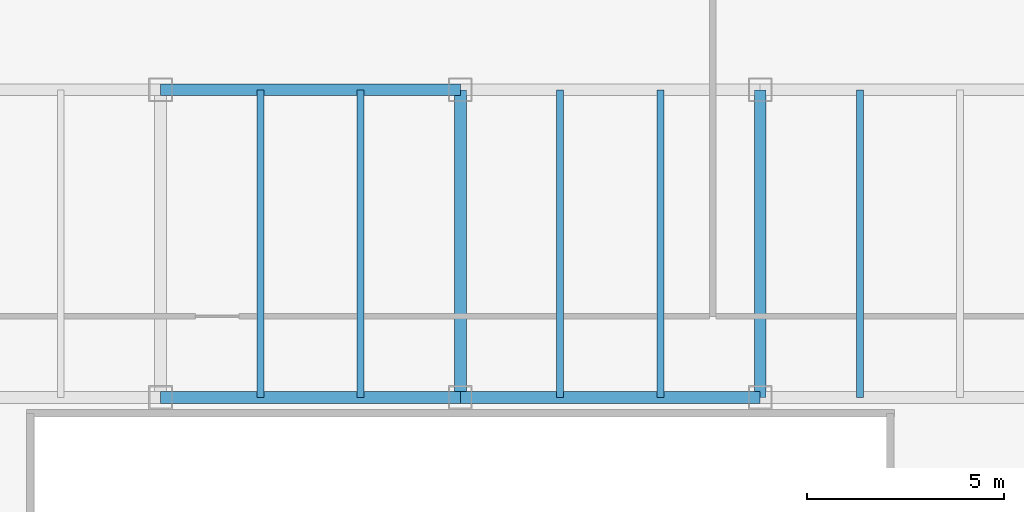
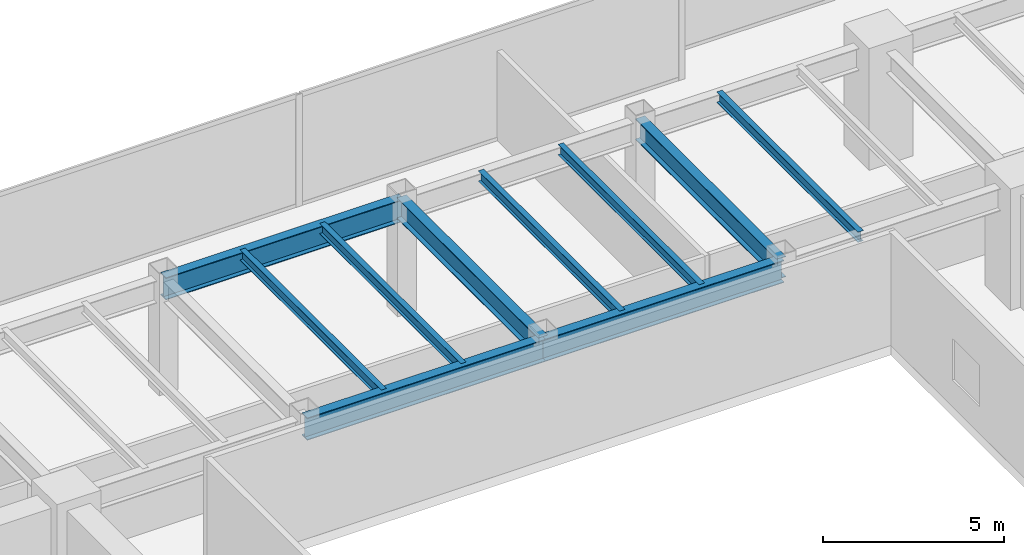
# One storey, part 17 of 35: 10 beams.
"""IFC4 building model written with IfcOpenShell, lengths in metres."""

from ifc_helpers import new_model, si_unit, direction, frame, origin, origin_2d, place, context, subcontext, project, spatial, i_section, extrude, source, transform, mapped, material, material_profile, profile_set, type_object, type_shapes, element, save


model = new_model("IFC4")

# Units and contexts
model_context = context("Model", 3, precision=1e-05, world=origin(), true_north=direction((0.0, 1.0)))
body_context = subcontext(model_context, "Body", "Model", "MODEL_VIEW")
ifc_project = project(units=[si_unit("LENGTHUNIT", "METRE"), si_unit("AREAUNIT", "SQUARE_METRE"), si_unit("VOLUMEUNIT", "CUBIC_METRE"), si_unit("PLANEANGLEUNIT", "RADIAN"), si_unit("MASSUNIT", "GRAM", prefix="KILO")], contexts=[model_context])

# Site, building, storey
site_placement = place(None, origin())
site = spatial("IfcSite", under=ifc_project, at=site_placement, CompositionType="ELEMENT")
building_placement = place(site_placement, origin())
building = spatial("IfcBuilding", under=site, at=building_placement, Name="Haelvirn Gate Laboratories", CompositionType="ELEMENT")
storey_placement = place(building_placement, frame((0.0, 0.0, 41.60009765625)))
storey = spatial("IfcBuildingStorey", under=building, at=storey_placement, Name="L10", CompositionType="ELEMENT", Elevation=41.60009765625)

# Beams
ifc_material = material(Name="Steel SM355", Category="steel")
ifc_material_profile_1 = material_profile(ifc_material, i_section(OverallWidth=0.300048828125, OverallDepth=0.699951171875, WebThickness=0.012939453125, FlangeThickness=0.02392578125, at=origin_2d()), Name="H-700x300x13x24")
ifc_profile_set_1 = profile_set([ifc_material_profile_1], Name="Steel SM355")
beam_type_1 = type_object("IfcBeamType", Name="BM-G-700", PredefinedType="BEAM", material=ifc_profile_set_1)
shared_shape_1 = source(origin(), body_context, "Body", "SweptSolid", [
    extrude(i_section(OverallWidth=0.300048828125, OverallDepth=0.699951171875, WebThickness=0.012939453125, FlangeThickness=0.02392578125, at=origin_2d()), origin(), (0.0, 0.0, 1.0), 7.800048828125),
])
type_shapes(beam_type_1, [shared_shape_1])
for number, where, z_axis, x_axis, name in (
    (1, (37.39990234375, 33.800048828125, 3.429931640625), (0.0, 1.0, 0.0), (-1.0, 0.0, 0.0), "L10 Frame Girder X37.4 (33.8-41.6)"),
    (2, (45.0, 33.800048828125, 3.429931640625), (0.0, 1.0, 0.0), (-1.0, 0.0, 0.0), "L10 Frame Girder X45.0 (33.8-41.6)"),
):
    element("IfcBeam", number, at=place(storey_placement, frame(where, z_axis=z_axis, x_axis=x_axis)), inside=storey, type_object=beam_type_1, Name=name, PredefinedType="BEAM", context=body_context, shape_type="MappedRepresentation", body=[
        mapped(shared_shape_1, transform((0.0, 0.0, 0.0), scale=1.0)),
    ])
ifc_material_profile_2 = material_profile(ifc_material, i_section(OverallWidth=0.300048828125, OverallDepth=0.75, WebThickness=0.013916015625, FlangeThickness=0.02392578125, at=origin_2d()), Name="H-750x300x14x24")
ifc_profile_set_2 = profile_set([ifc_material_profile_2], Name="Steel SM355")
beam_type_2 = type_object("IfcBeamType", Name="BM-G-750", PredefinedType="BEAM", material=ifc_profile_set_2)
shared_shape_2 = source(origin(), body_context, "Body", "SweptSolid", [
    extrude(i_section(OverallWidth=0.300048828125, OverallDepth=0.75, WebThickness=0.013916015625, FlangeThickness=0.02392578125, at=origin_2d()), origin(), (0.0, 0.0, 1.0), 7.60009765625),
])
beam_placement = place(storey_placement, frame((37.39990234375, 33.800048828125, 3.40478515625), z_axis=(1.0, 0.0, 0.0), x_axis=(0.0, 1.0, 0.0)))
element("IfcBeam", 3, at=beam_placement, inside=storey, type_object=beam_type_2, Name="L10 Primary Girder Y33.8 (37.4-45.0)", PredefinedType="BEAM", context=body_context, shape_type="MappedRepresentation", body=[
    mapped(shared_shape_2, transform((0.0, 0.0, 0.0), scale=1.0)),
])
shared_shape_3 = source(origin(), body_context, "Body", "SweptSolid", [
    extrude(i_section(OverallWidth=0.300048828125, OverallDepth=0.75, WebThickness=0.013916015625, FlangeThickness=0.02392578125, at=origin_2d()), origin(), (0.0, 0.0, 1.0), 7.599853515625),
])
type_shapes(beam_type_2, [shared_shape_2, shared_shape_3])
for number, where, z_axis, x_axis, name in (
    (4, (29.800048828125, 33.800048828125, 3.40478515625), (1.0, 0.0, 0.0), (0.0, 1.0, 0.0), "L10 Primary Girder Y33.8 (29.8-37.4)"),
    (5, (29.800048828125, 41.60009765625, 3.40478515625), (1.0, 0.0, 0.0), (0.0, 1.0, 0.0), "L10 Primary Girder Y41.6 (29.8-37.4)"),
):
    element("IfcBeam", number, at=place(storey_placement, frame(where, z_axis=z_axis, x_axis=x_axis)), inside=storey, type_object=beam_type_2, Name=name, PredefinedType="BEAM", context=body_context, shape_type="MappedRepresentation", body=[
        mapped(shared_shape_3, transform((0.0, 0.0, 0.0), scale=1.0)),
    ])
ifc_material_profile_3 = material_profile(ifc_material, i_section(OverallWidth=0.175048828125, OverallDepth=0.35009765625, WebThickness=0.007080078125, FlangeThickness=0.010986328125, at=origin_2d()), Name="H-350x175x7x11")
ifc_profile_set_3 = profile_set([ifc_material_profile_3], Name="Steel SM355")
beam_type_3 = type_object("IfcBeamType", Name="BM-J-350", PredefinedType="JOIST", material=ifc_profile_set_3)
shared_shape_4 = source(origin(), body_context, "Body", "SweptSolid", [
    extrude(i_section(OverallWidth=0.175048828125, OverallDepth=0.35009765625, WebThickness=0.007080078125, FlangeThickness=0.010986328125, at=origin_2d()), origin(), (0.0, 0.0, 1.0), 7.800048828125),
])
type_shapes(beam_type_3, [shared_shape_4])
for number, where, z_axis, x_axis, name in (
    (6, (32.330078125, 33.800048828125, 3.60498046875), (0.0, 1.0, 0.0), (-1.0, 0.0, 0.0), "L10 Composite Lab Joist North X32.33"),
    (7, (34.8701171875, 33.800048828125, 3.60498046875), (0.0, 1.0, 0.0), (-1.0, 0.0, 0.0), "L10 Composite Lab Joist North X34.87"),
    (8, (39.929931640625, 33.800048828125, 3.60498046875), (0.0, 1.0, 0.0), (-1.0, 0.0, 0.0), "L10 Composite Lab Joist North X39.93"),
    (9, (42.469970703125, 33.800048828125, 3.60498046875), (0.0, 1.0, 0.0), (-1.0, 0.0, 0.0), "L10 Composite Lab Joist North X42.47"),
    (10, (47.530029296875, 33.800048828125, 3.60498046875), (0.0, 1.0, 0.0), (-1.0, 0.0, 0.0), "L10 Composite Lab Joist North X47.53"),
):
    element("IfcBeam", number, at=place(storey_placement, frame(where, z_axis=z_axis, x_axis=x_axis)), inside=storey, type_object=beam_type_3, Name=name, PredefinedType="JOIST", context=body_context, shape_type="MappedRepresentation", body=[
        mapped(shared_shape_4, transform((0.0, 0.0, 0.0), scale=1.0)),
    ])

save(model, "model.ifc")
